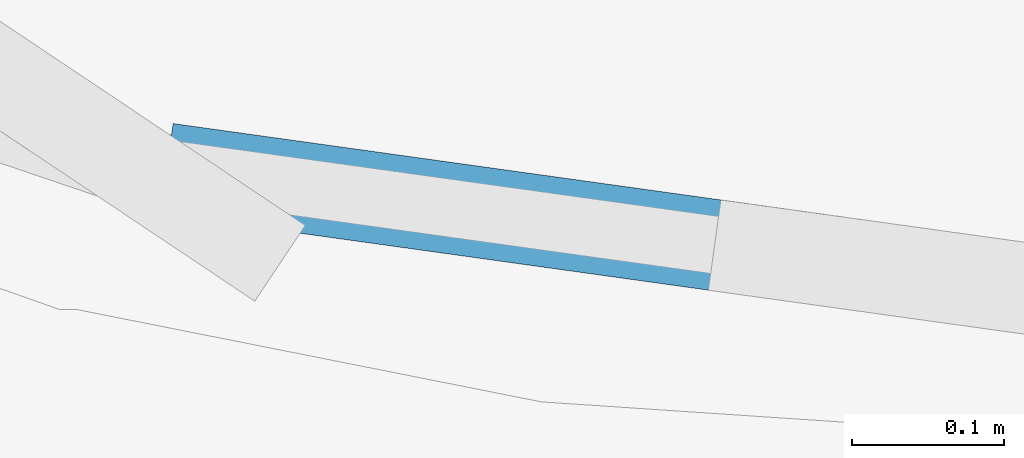
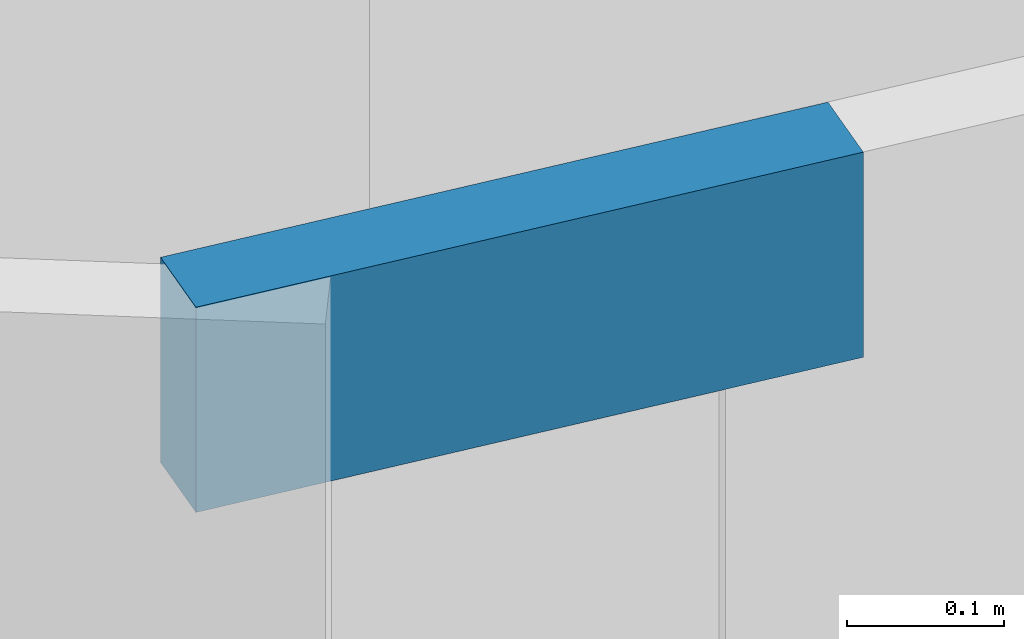
# One storey, part 17 of 36: 1 member, 1 element without a shape of its own.
"""IFC4 building model written with IfcOpenShell, lengths in metres."""

from ifc_helpers import new_model, si_unit, direction, frame, origin, origin_2d, place, context, subcontext, project, spatial, rectangle, extrude, material, layer, layer_set, material_profile, profile_set, type_object, element, aggregate, save


model = new_model("IFC4")

# Units and contexts
model_context = context("Model", 3, precision=1e-05, world=origin(), true_north=direction((0.0, 1.0)))
body_context = subcontext(model_context, "Body", "Model", "MODEL_VIEW")
ifc_project = project(units=[si_unit("LENGTHUNIT", "METRE"), si_unit("AREAUNIT", "SQUARE_METRE"), si_unit("VOLUMEUNIT", "CUBIC_METRE"), si_unit("PLANEANGLEUNIT", "RADIAN"), si_unit("MASSUNIT", "GRAM", prefix="KILO")], contexts=[model_context])

# Site, building, storey
site_placement = place(None, origin())
site = spatial("IfcSite", under=ifc_project, at=site_placement, CompositionType="ELEMENT")
building_placement = place(site_placement, origin())
building = spatial("IfcBuilding", under=site, at=building_placement, Name="Kheshtan School and Residences Tower", CompositionType="ELEMENT")
storey_placement = place(building_placement, frame((0.0, 0.0, 81.199951171875)))
storey = spatial("IfcBuildingStorey", under=building, at=storey_placement, Name="L19", CompositionType="ELEMENT", Elevation=81.199951171875)

# Curtain wall, member
ifc_material_1 = material(Name="Clear low-e glass in thermally broken aluminium frame", Category="aluminium")
ifc_layer = layer(ifc_material_1, 0.25)
ifc_layer_set = layer_set([ifc_layer], Name="Curtain wall CW-K")
curtain_wall_type = type_object("IfcCurtainWallType", Name="Curtain wall CW-K", PredefinedType="NOTDEFINED", material=ifc_layer_set)
curtain_wall_placement = place(storey_placement, origin())
curtain_wall = element("IfcCurtainWall", 1, at=curtain_wall_placement, inside=storey, type_object=curtain_wall_type, Name="Curtain wall CWK3", PredefinedType="NOTDEFINED")
ifc_material_2 = material(Name="Thermally broken aluminium, dark bronze anodised", Category="aluminium")
ifc_material_profile = material_profile(ifc_material_2, rectangle(XDim=0.06005859375, YDim=0.159912109375, at=origin_2d()), Name="CW-K transom 60x160")
ifc_profile_set = profile_set([ifc_material_profile], Name="Thermally broken aluminium, dark bronze anodised")
member_type = type_object("IfcMemberType", Name="CW-K transom 60x160", PredefinedType="USERDEFINED", material=ifc_profile_set)
member_placement = place(storey_placement, frame((48.93896484375, 45.272705078125, 7.570068359375), z_axis=(0.990421791636, -0.138074887842, 0.0), x_axis=(0.138074887842, 0.990421791636, 0.0)))
member = element("IfcMember", 2, at=member_placement, type_object=member_type, Name="CWK3 transom 1", ObjectType="TRANSOM", PredefinedType="USERDEFINED", context=body_context, shape_type="SweptSolid", body=[
    extrude(rectangle(XDim=0.06005859375, YDim=0.159912109375, at=origin_2d()), origin(), (0.0, 0.0, 1.0), 0.459716796875),
])
aggregate(curtain_wall, [member])

save(model, "model.ifc")
